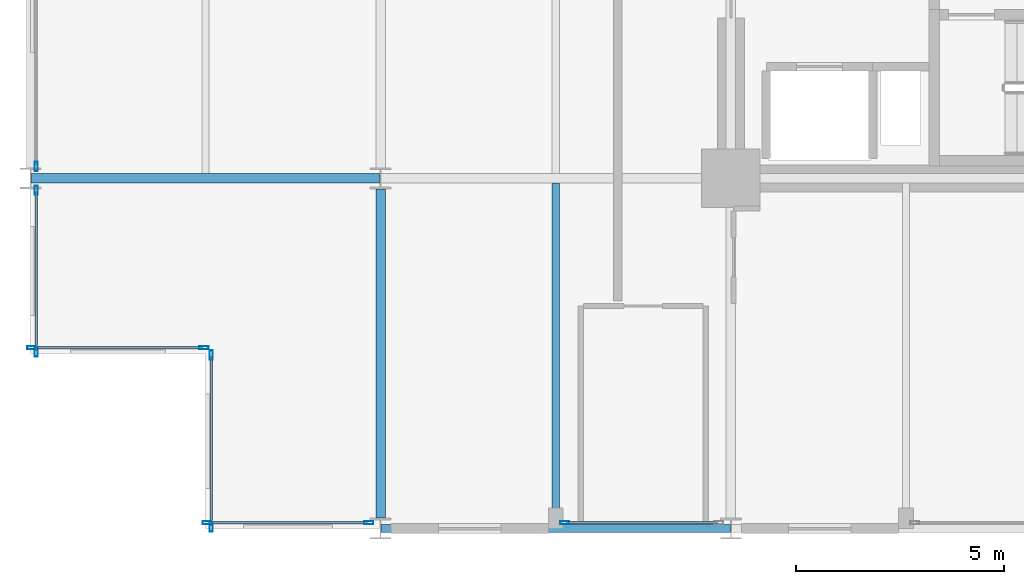
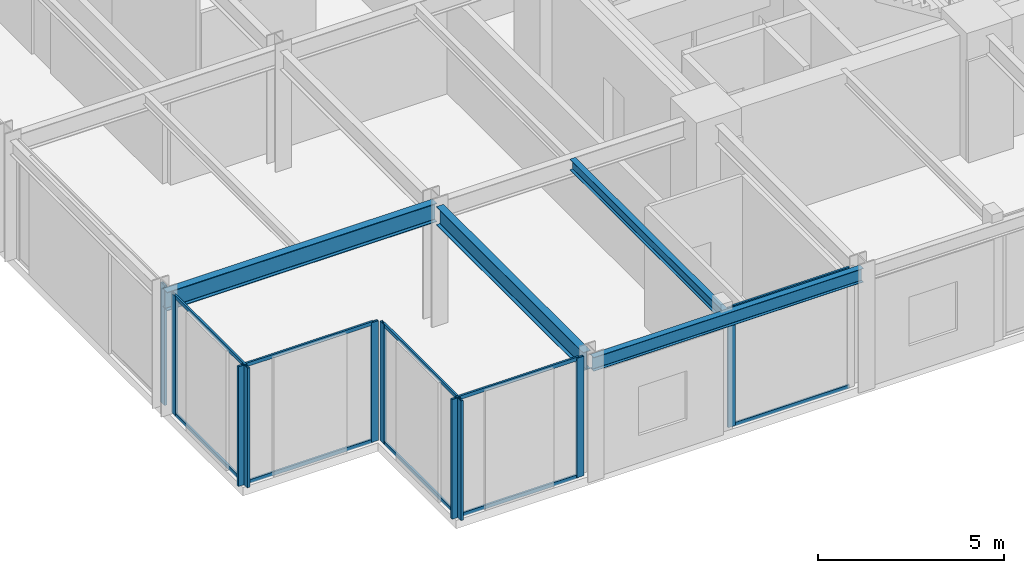
# One storey, part 2 of 24: 20 members, 4 beams, 6 elements without a shape of their own.
"""IFC4 building model written with IfcOpenShell, lengths in metres."""

from ifc_helpers import new_model, si_unit, direction, frame, origin, origin_2d, place, context, subcontext, project, spatial, hollow_rectangle, i_section, extrude, material, layer, layer_set, material_profile, profile_set, type_object, element, aggregate, save


model = new_model("IFC4")

# Units and contexts
model_context = context("Model", 3, precision=1e-05, world=origin(), true_north=direction((0.0, 1.0)))
body_context = subcontext(model_context, "Body", "Model", "MODEL_VIEW")
ifc_project = project(units=[si_unit("LENGTHUNIT", "METRE"), si_unit("AREAUNIT", "SQUARE_METRE"), si_unit("VOLUMEUNIT", "CUBIC_METRE"), si_unit("PLANEANGLEUNIT", "RADIAN"), si_unit("MASSUNIT", "GRAM", prefix="KILO")], contexts=[model_context])

# Site, building, storey
site_placement = place(None, origin())
site = spatial("IfcSite", under=ifc_project, at=site_placement, CompositionType="ELEMENT")
building_placement = place(site_placement, origin())
building = spatial("IfcBuilding", under=site, at=building_placement, Name="Nerrivon Quay Data Exchange", CompositionType="ELEMENT")
storey_placement = place(building_placement, frame((0.0, 0.0, 50.0)))
storey = spatial("IfcBuildingStorey", under=building, at=storey_placement, Name="L11", CompositionType="ELEMENT", Elevation=50.0)

# Beams
ifc_material_1 = material(Name="Steel Grade 350", Category="steel")
ifc_material_profile_1 = material_profile(ifc_material_1, i_section(OverallWidth=0.22900390625, OverallDepth=0.612060546875, WebThickness=0.011962890625, FlangeThickness=0.01953125, FilletRadius=0.013916015625, at=origin_2d()), Name="610UB125")
ifc_profile_set_1 = profile_set([ifc_material_profile_1], Name="Steel Grade 350")
beam_type_1 = type_object("IfcBeamType", Name="BM-G1-610UB125", PredefinedType="BEAM", material=ifc_profile_set_1)
beam_1_placement = place(storey_placement, frame((0.013916015625, 8.39990234375, 3.618896484375), z_axis=(1.0, 0.0, 0.0), x_axis=(0.0, 1.0, 0.0)))
element("IfcBeam", 1, at=beam_1_placement, inside=storey, type_object=beam_type_1, Name="L11 EW Girder Y=8.4 (0.0..8.4)", PredefinedType="BEAM", context=body_context, shape_type="SweptSolid", body=[
    extrude(i_section(OverallWidth=0.22900390625, OverallDepth=0.612060546875, WebThickness=0.011962890625, FlangeThickness=0.01953125, FilletRadius=0.013916015625, at=origin_2d()), origin(), (0.0, 0.0, 1.0), 8.3720703125),
])
ifc_material_profile_2 = material_profile(ifc_material_1, i_section(OverallWidth=0.22802734375, OverallDepth=0.60205078125, WebThickness=0.010498046875, FlangeThickness=0.014892578125, FilletRadius=0.013916015625, at=origin_2d()), Name="610UB101")
ifc_profile_set_2 = profile_set([ifc_material_profile_2], Name="Steel Grade 350")
beam_type_2 = type_object("IfcBeamType", Name="BM-G2-610UB101", PredefinedType="BEAM", material=ifc_profile_set_2)
beam_2_placement = place(storey_placement, frame((8.39990234375, 0.25, 3.6240234375), z_axis=(0.0, 1.0, 0.0), x_axis=(-1.0, 0.0, 0.0)))
element("IfcBeam", 2, at=beam_2_placement, inside=storey, type_object=beam_type_2, Name="L11 NS Girder X=8.4 (0.0..8.4)", PredefinedType="BEAM", context=body_context, shape_type="SweptSolid", body=[
    extrude(i_section(OverallWidth=0.22802734375, OverallDepth=0.60205078125, WebThickness=0.010498046875, FlangeThickness=0.014892578125, FilletRadius=0.013916015625, at=origin_2d()), origin(), (0.0, 0.0, 1.0), 7.89990234375),
])
ifc_material_profile_3 = material_profile(ifc_material_1, i_section(OverallWidth=0.172119140625, OverallDepth=0.35888671875, WebThickness=0.008056640625, FlangeThickness=0.012939453125, FilletRadius=0.011474609375, at=origin_2d()), Name="360UB56.7")
ifc_profile_set_3 = profile_set([ifc_material_profile_3], Name="Steel Grade 350")
beam_type_3 = type_object("IfcBeamType", Name="BM-J3-360UB57", PredefinedType="JOIST", material=ifc_profile_set_3)
beam_3_placement = place(storey_placement, frame((12.60009765625, 0.094970703125, 3.74560546875), z_axis=(0.0, 1.0, 0.0), x_axis=(-1.0, 0.0, 0.0)))
element("IfcBeam", 3, at=beam_3_placement, inside=storey, type_object=beam_type_3, Name="L11 Secondary Joist X=12.6 (0.0..8.4)", PredefinedType="JOIST", context=body_context, shape_type="SweptSolid", body=[
    extrude(i_section(OverallWidth=0.172119140625, OverallDepth=0.35888671875, WebThickness=0.008056640625, FlangeThickness=0.012939453125, FilletRadius=0.011474609375, at=origin_2d()), origin(), (0.0, 0.0, 1.0), 8.1904296875),
])
ifc_material_profile_4 = material_profile(ifc_material_1, i_section(OverallWidth=0.18994140625, OverallDepth=0.4541015625, WebThickness=0.008544921875, FlangeThickness=0.0126953125, FilletRadius=0.011474609375, at=origin_2d()), Name="460UB67.1")
ifc_profile_set_4 = profile_set([ifc_material_profile_4], Name="Steel Grade 350")
beam_type_4 = type_object("IfcBeamType", Name="BM-SP1-460UB67", PredefinedType="SPANDREL", material=ifc_profile_set_4)
beam_4_placement = place(storey_placement, frame((8.4140625, 0.0, 3.697998046875), z_axis=(1.0, 0.0, 0.0), x_axis=(0.0, 1.0, 0.0)))
element("IfcBeam", 4, at=beam_4_placement, inside=storey, type_object=beam_type_4, Name="L11 EW Girder Y=0.0 (8.4..16.8)", PredefinedType="SPANDREL", context=body_context, shape_type="SweptSolid", body=[
    extrude(i_section(OverallWidth=0.18994140625, OverallDepth=0.4541015625, WebThickness=0.008544921875, FlangeThickness=0.0126953125, FilletRadius=0.011474609375, at=origin_2d()), origin(), (0.0, 0.0, 1.0), 8.371826171875),
])

# Curtain wall, member
ifc_material_2 = material(Name="Anodised aluminium 6063-T6", Category="aluminium")
ifc_layer = layer(ifc_material_2, 0.219970703125)
ifc_layer_set = layer_set([ifc_layer], Name="Anodised aluminium 6063-T6")
curtain_wall_type = type_object("IfcCurtainWallType", Name="CW-SYS-01", PredefinedType="NOTDEFINED", material=ifc_layer_set)
curtain_wall_1_placement = place(storey_placement, origin())
curtain_wall_1 = element("IfcCurtainWall", 5, at=curtain_wall_1_placement, inside=storey, type_object=curtain_wall_type, Name="L11 Unitised Curtain Wall 8", PredefinedType="NOTDEFINED")
ifc_material_profile_5 = material_profile(ifc_material_2, hollow_rectangle(XDim=0.074951171875, YDim=0.219970703125, WallThickness=0.00390625, at=origin_2d()), Name="ALU-MULL-220x75")
ifc_profile_set_5 = profile_set([ifc_material_profile_5], Name="Anodised aluminium 6063-T6")
member_type_1 = type_object("IfcMemberType", Name="CWM-220x75", PredefinedType="MULLION", material=ifc_profile_set_5)
member_1_placement = place(storey_placement, frame((12.8125, 0.139892578125, 0.0), z_axis=(0.0, 0.0, 1.0), x_axis=(0.0, -1.0, 0.0)))
member_1 = element("IfcMember", 6, at=member_1_placement, type_object=member_type_1, Name="CW01 mullion 2", PredefinedType="MULLION", context=body_context, shape_type="SweptSolid", body=[
    extrude(hollow_rectangle(XDim=0.074951171875, YDim=0.219970703125, WallThickness=0.00390625, at=origin_2d()), origin(), (0.0, 0.0, 1.0), 3.925048828125),
])

# Curtain wall, members
curtain_wall_2_placement = place(storey_placement, origin())
curtain_wall_2 = element("IfcCurtainWall", 7, at=curtain_wall_2_placement, inside=storey, type_object=curtain_wall_type, Name="L11 Unitised Curtain Wall 10", PredefinedType="NOTDEFINED")
member_2_placement = place(storey_placement, frame((8.112548828125, 0.139892578125, 0.0), z_axis=(0.0, 0.0, 1.0), x_axis=(0.0, -1.0, 0.0)))
member_2 = element("IfcMember", 8, at=member_2_placement, type_object=member_type_1, Name="CW01 mullion 1", PredefinedType="MULLION", context=body_context, shape_type="SweptSolid", body=[
    extrude(hollow_rectangle(XDim=0.074951171875, YDim=0.219970703125, WallThickness=0.00390625, at=origin_2d()), origin(), (0.0, 0.0, 1.0), 3.925048828125),
])
member_3_placement = place(storey_placement, frame((4.237548828125, 0.139892578125, 0.0), z_axis=(0.0, 0.0, 1.0), x_axis=(0.0, -1.0, 0.0)))
member_3 = element("IfcMember", 9, at=member_3_placement, type_object=member_type_1, Name="CW01 mullion 2", PredefinedType="MULLION", context=body_context, shape_type="SweptSolid", body=[
    extrude(hollow_rectangle(XDim=0.074951171875, YDim=0.219970703125, WallThickness=0.00390625, at=origin_2d()), origin(), (0.0, 0.0, 1.0), 3.925048828125),
])

curtain_wall_3_placement = place(storey_placement, origin())
curtain_wall_3 = element("IfcCurtainWall", 10, at=curtain_wall_3_placement, inside=storey, type_object=curtain_wall_type, Name="L11 Unitised Curtain Wall 11", PredefinedType="NOTDEFINED")
member_4_placement = place(storey_placement, frame((4.340087890625, 0.03759765625, 0.0), z_axis=(0.0, 0.0, 1.0), x_axis=(-1.0, 0.0, 0.0)))
member_4 = element("IfcMember", 11, at=member_4_placement, type_object=member_type_1, Name="CW01 mullion 1", PredefinedType="MULLION", context=body_context, shape_type="SweptSolid", body=[
    extrude(hollow_rectangle(XDim=0.074951171875, YDim=0.219970703125, WallThickness=0.00390625, at=origin_2d()), origin(), (0.0, 0.0, 1.0), 3.925048828125),
])
member_5_placement = place(storey_placement, frame((4.340087890625, 4.16259765625, 0.0), z_axis=(0.0, 0.0, 1.0), x_axis=(-1.0, 0.0, 0.0)))
member_5 = element("IfcMember", 12, at=member_5_placement, type_object=member_type_1, Name="CW01 mullion 2", PredefinedType="MULLION", context=body_context, shape_type="SweptSolid", body=[
    extrude(hollow_rectangle(XDim=0.074951171875, YDim=0.219970703125, WallThickness=0.00390625, at=origin_2d()), origin(), (0.0, 0.0, 1.0), 3.925048828125),
])

curtain_wall_4_placement = place(storey_placement, origin())
curtain_wall_4 = element("IfcCurtainWall", 13, at=curtain_wall_4_placement, inside=storey, type_object=curtain_wall_type, Name="L11 Unitised Curtain Wall 12", PredefinedType="NOTDEFINED")
member_6_placement = place(storey_placement, frame((4.16259765625, 4.340087890625, 0.0), z_axis=(0.0, 0.0, 1.0), x_axis=(0.0, -1.0, 0.0)))
member_6 = element("IfcMember", 14, at=member_6_placement, type_object=member_type_1, Name="CW01 mullion 1", PredefinedType="MULLION", context=body_context, shape_type="SweptSolid", body=[
    extrude(hollow_rectangle(XDim=0.074951171875, YDim=0.219970703125, WallThickness=0.00390625, at=origin_2d()), origin(), (0.0, 0.0, 1.0), 3.925048828125),
])
member_7_placement = place(storey_placement, frame((0.03759765625, 4.340087890625, 0.0), z_axis=(0.0, 0.0, 1.0), x_axis=(0.0, -1.0, 0.0)))
member_7 = element("IfcMember", 15, at=member_7_placement, type_object=member_type_1, Name="CW01 mullion 2", PredefinedType="MULLION", context=body_context, shape_type="SweptSolid", body=[
    extrude(hollow_rectangle(XDim=0.074951171875, YDim=0.219970703125, WallThickness=0.00390625, at=origin_2d()), origin(), (0.0, 0.0, 1.0), 3.925048828125),
])

curtain_wall_5_placement = place(storey_placement, origin())
curtain_wall_5 = element("IfcCurtainWall", 16, at=curtain_wall_5_placement, inside=storey, type_object=curtain_wall_type, Name="L11 Unitised Curtain Wall 13", PredefinedType="NOTDEFINED")
member_8_placement = place(storey_placement, frame((0.139892578125, 4.237548828125, 0.0), z_axis=(0.0, 0.0, 1.0), x_axis=(-1.0, 0.0, 0.0)))
member_8 = element("IfcMember", 17, at=member_8_placement, type_object=member_type_1, Name="CW01 mullion 1", PredefinedType="MULLION", context=body_context, shape_type="SweptSolid", body=[
    extrude(hollow_rectangle(XDim=0.074951171875, YDim=0.219970703125, WallThickness=0.00390625, at=origin_2d()), origin(), (0.0, 0.0, 1.0), 3.925048828125),
])
member_9_placement = place(storey_placement, frame((0.139892578125, 8.112548828125, 0.0), z_axis=(0.0, 0.0, 1.0), x_axis=(-1.0, 0.0, 0.0)))
member_9 = element("IfcMember", 18, at=member_9_placement, type_object=member_type_1, Name="CW01 mullion 2", PredefinedType="MULLION", context=body_context, shape_type="SweptSolid", body=[
    extrude(hollow_rectangle(XDim=0.074951171875, YDim=0.219970703125, WallThickness=0.00390625, at=origin_2d()), origin(), (0.0, 0.0, 1.0), 3.925048828125),
])

# Curtain wall, member
curtain_wall_6_placement = place(storey_placement, origin())
curtain_wall_6 = element("IfcCurtainWall", 19, at=curtain_wall_6_placement, inside=storey, type_object=curtain_wall_type, Name="L11 Unitised Curtain Wall 14", PredefinedType="NOTDEFINED")
member_10_placement = place(storey_placement, frame((0.139892578125, 8.6875, 0.0), z_axis=(0.0, 0.0, 1.0), x_axis=(-1.0, 0.0, 0.0)))
member_10 = element("IfcMember", 20, at=member_10_placement, type_object=member_type_1, Name="CW01 mullion 1", PredefinedType="MULLION", context=body_context, shape_type="SweptSolid", body=[
    extrude(hollow_rectangle(XDim=0.074951171875, YDim=0.219970703125, WallThickness=0.00390625, at=origin_2d()), origin(), (0.0, 0.0, 1.0), 3.925048828125),
])
aggregate(curtain_wall_6, [member_10])

# Member
ifc_material_profile_6 = material_profile(ifc_material_2, hollow_rectangle(XDim=0.06005859375, YDim=0.1201171875, WallThickness=0.003173828125, at=origin_2d()), Name="ALU-TRAN-120x60")
ifc_profile_set_6 = profile_set([ifc_material_profile_6], Name="Anodised aluminium 6063-T6")
member_type_2 = type_object("IfcMemberType", Name="CWT-120x60", PredefinedType="USERDEFINED", material=ifc_profile_set_6)
member_11_placement = place(storey_placement, frame((16.47509765625, 0.139892578125, 0.032470703125), z_axis=(-1.0, 0.0, 0.0), x_axis=(0.0, -1.0, 0.0)))
member_11 = element("IfcMember", 21, at=member_11_placement, type_object=member_type_2, Name="CW01 transom 1.1", ObjectType="TRANSOM", PredefinedType="USERDEFINED", context=body_context, shape_type="SweptSolid", body=[
    extrude(hollow_rectangle(XDim=0.06005859375, YDim=0.1201171875, WallThickness=0.003173828125, at=origin_2d()), origin(), (0.0, 0.0, 1.0), 3.625),
])

member_12_placement = place(storey_placement, frame((16.47509765625, 0.139892578125, 3.892578125), z_axis=(-1.0, 0.0, 0.0), x_axis=(0.0, -1.0, 0.0)))
member_12 = element("IfcMember", 22, at=member_12_placement, type_object=member_type_2, Name="CW01 transom 1.2", ObjectType="TRANSOM", PredefinedType="USERDEFINED", context=body_context, shape_type="SweptSolid", body=[
    extrude(hollow_rectangle(XDim=0.06005859375, YDim=0.1201171875, WallThickness=0.003173828125, at=origin_2d()), origin(), (0.0, 0.0, 1.0), 3.625),
])

aggregate(curtain_wall_1, [member_1, member_11, member_12])

member_13_placement = place(storey_placement, frame((8.074951171875, 0.139892578125, 0.032470703125), z_axis=(-1.0, 0.0, 0.0), x_axis=(0.0, -1.0, 0.0)))
member_13 = element("IfcMember", 23, at=member_13_placement, type_object=member_type_2, Name="CW01 transom 1.1", ObjectType="TRANSOM", PredefinedType="USERDEFINED", context=body_context, shape_type="SweptSolid", body=[
    extrude(hollow_rectangle(XDim=0.06005859375, YDim=0.1201171875, WallThickness=0.003173828125, at=origin_2d()), origin(), (0.0, 0.0, 1.0), 3.800048828125),
])

member_14_placement = place(storey_placement, frame((8.074951171875, 0.139892578125, 3.892578125), z_axis=(-1.0, 0.0, 0.0), x_axis=(0.0, -1.0, 0.0)))
member_14 = element("IfcMember", 24, at=member_14_placement, type_object=member_type_2, Name="CW01 transom 1.2", ObjectType="TRANSOM", PredefinedType="USERDEFINED", context=body_context, shape_type="SweptSolid", body=[
    extrude(hollow_rectangle(XDim=0.06005859375, YDim=0.1201171875, WallThickness=0.003173828125, at=origin_2d()), origin(), (0.0, 0.0, 1.0), 3.800048828125),
])

aggregate(curtain_wall_2, [member_2, member_3, member_13, member_14])

member_15_placement = place(storey_placement, frame((4.340087890625, 0.074951171875, 0.032470703125), z_axis=(0.0, 1.0, 0.0), x_axis=(-1.0, 0.0, 0.0)))
member_15 = element("IfcMember", 25, at=member_15_placement, type_object=member_type_2, Name="CW01 transom 1.1", ObjectType="TRANSOM", PredefinedType="USERDEFINED", context=body_context, shape_type="SweptSolid", body=[
    extrude(hollow_rectangle(XDim=0.06005859375, YDim=0.1201171875, WallThickness=0.003173828125, at=origin_2d()), origin(), (0.0, 0.0, 1.0), 4.050048828125),
])

member_16_placement = place(storey_placement, frame((4.340087890625, 0.074951171875, 3.892578125), z_axis=(0.0, 1.0, 0.0), x_axis=(-1.0, 0.0, 0.0)))
member_16 = element("IfcMember", 26, at=member_16_placement, type_object=member_type_2, Name="CW01 transom 1.2", ObjectType="TRANSOM", PredefinedType="USERDEFINED", context=body_context, shape_type="SweptSolid", body=[
    extrude(hollow_rectangle(XDim=0.06005859375, YDim=0.1201171875, WallThickness=0.003173828125, at=origin_2d()), origin(), (0.0, 0.0, 1.0), 4.050048828125),
])

aggregate(curtain_wall_3, [member_4, member_5, member_15, member_16])

member_17_placement = place(storey_placement, frame((4.125, 4.340087890625, 0.032470703125), z_axis=(-1.0, 0.0, 0.0), x_axis=(0.0, -1.0, 0.0)))
member_17 = element("IfcMember", 27, at=member_17_placement, type_object=member_type_2, Name="CW01 transom 1.1", ObjectType="TRANSOM", PredefinedType="USERDEFINED", context=body_context, shape_type="SweptSolid", body=[
    extrude(hollow_rectangle(XDim=0.06005859375, YDim=0.1201171875, WallThickness=0.003173828125, at=origin_2d()), origin(), (0.0, 0.0, 1.0), 4.050048828125),
])

member_18_placement = place(storey_placement, frame((4.125, 4.340087890625, 3.892578125), z_axis=(-1.0, 0.0, 0.0), x_axis=(0.0, -1.0, 0.0)))
member_18 = element("IfcMember", 28, at=member_18_placement, type_object=member_type_2, Name="CW01 transom 1.2", ObjectType="TRANSOM", PredefinedType="USERDEFINED", context=body_context, shape_type="SweptSolid", body=[
    extrude(hollow_rectangle(XDim=0.06005859375, YDim=0.1201171875, WallThickness=0.003173828125, at=origin_2d()), origin(), (0.0, 0.0, 1.0), 4.050048828125),
])

aggregate(curtain_wall_4, [member_6, member_7, member_17, member_18])

member_19_placement = place(storey_placement, frame((0.139892578125, 4.27490234375, 0.032470703125), z_axis=(0.0, 1.0, 0.0), x_axis=(-1.0, 0.0, 0.0)))
member_19 = element("IfcMember", 29, at=member_19_placement, type_object=member_type_2, Name="CW01 transom 1.1", ObjectType="TRANSOM", PredefinedType="USERDEFINED", context=body_context, shape_type="SweptSolid", body=[
    extrude(hollow_rectangle(XDim=0.06005859375, YDim=0.1201171875, WallThickness=0.003173828125, at=origin_2d()), origin(), (0.0, 0.0, 1.0), 3.800048828125),
])

member_20_placement = place(storey_placement, frame((0.139892578125, 4.27490234375, 3.892578125), z_axis=(0.0, 1.0, 0.0), x_axis=(-1.0, 0.0, 0.0)))
member_20 = element("IfcMember", 30, at=member_20_placement, type_object=member_type_2, Name="CW01 transom 1.2", ObjectType="TRANSOM", PredefinedType="USERDEFINED", context=body_context, shape_type="SweptSolid", body=[
    extrude(hollow_rectangle(XDim=0.06005859375, YDim=0.1201171875, WallThickness=0.003173828125, at=origin_2d()), origin(), (0.0, 0.0, 1.0), 3.800048828125),
])

aggregate(curtain_wall_5, [member_8, member_9, member_19, member_20])

save(model, "model.ifc")
